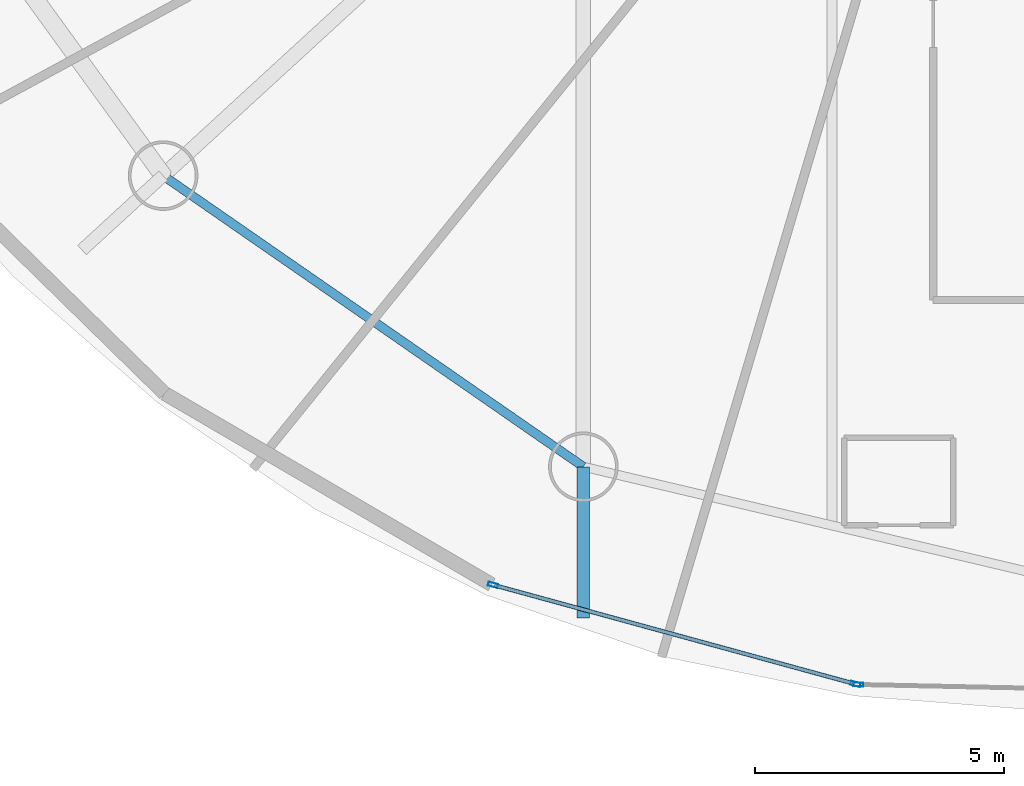
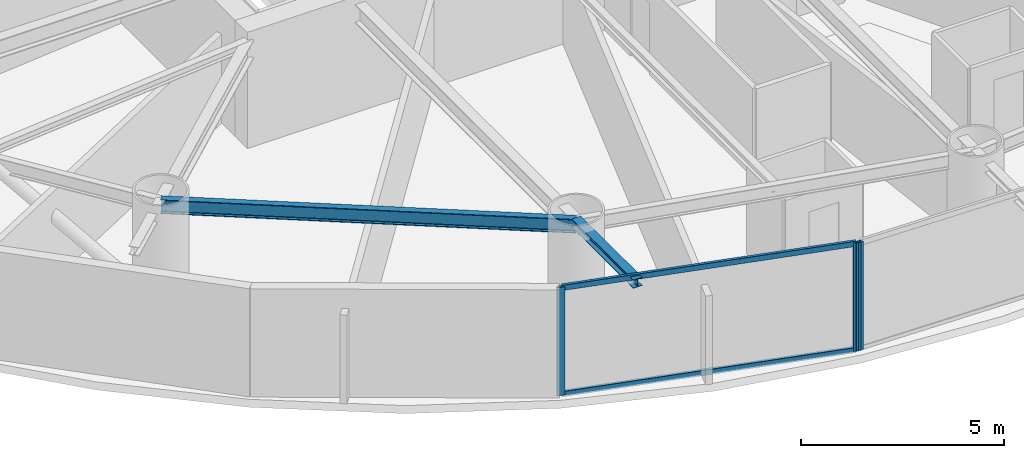
# One storey, part 2 of 26: 5 members, 2 beams, 2 elements without a shape of their own.
"""IFC4 building model written with IfcOpenShell, lengths in metres."""

from ifc_helpers import new_model, si_unit, direction, frame, origin, origin_2d, place, context, subcontext, project, spatial, hollow_rectangle, i_section, extrude, material, layer, layer_set, material_profile, profile_set, type_object, element, aggregate, save


model = new_model("IFC4")

# Units and contexts
model_context = context("Model", 3, precision=1e-05, world=origin(), true_north=direction((0.0, 1.0)))
body_context = subcontext(model_context, "Body", "Model", "MODEL_VIEW")
ifc_project = project(units=[si_unit("LENGTHUNIT", "METRE"), si_unit("AREAUNIT", "SQUARE_METRE"), si_unit("VOLUMEUNIT", "CUBIC_METRE"), si_unit("PLANEANGLEUNIT", "RADIAN"), si_unit("MASSUNIT", "GRAM", prefix="KILO")], contexts=[model_context])

# Site, building, storey
site_placement = place(None, origin())
site = spatial("IfcSite", under=ifc_project, at=site_placement, CompositionType="ELEMENT")
building_placement = place(site_placement, origin())
building = spatial("IfcBuilding", under=site, at=building_placement, Name="Bramvorn Convention Spire", CompositionType="ELEMENT")
storey_placement = place(building_placement, frame((0.0, 0.0, 123.800048828125)))
storey = spatial("IfcBuildingStorey", under=building, at=storey_placement, Name="L30", CompositionType="ELEMENT", Elevation=123.800048828125)

# Beams
ifc_material_1 = material(Name="Steel CSA G40.21 Grade 350 (350W)", Category="steel")
ifc_material_profile_1 = material_profile(ifc_material_1, i_section(OverallWidth=0.25390625, OverallDepth=0.2529296875, WebThickness=0.008544921875, FlangeThickness=0.01416015625, FilletRadius=0.011962890625, at=origin_2d()))
ifc_profile_set_1 = profile_set([ifc_material_profile_1], Name="Steel CSA G40.21 Grade 350 (350W) - W250X73")
beam_type_1 = type_object("IfcBeamType", Name="BM-W250X73", PredefinedType="BEAM", material=ifc_profile_set_1)
beam_1_placement = place(storey_placement, frame((29.917236328125, 7.845947265625, 3.133544921875), z_axis=(0.0, -1.0, 0.0), x_axis=(1.0, 0.0, 0.0)))
element("IfcBeam", 1, at=beam_1_placement, inside=storey, type_object=beam_type_1, Name="L30 slab-edge cantilever tip beam MC13", PredefinedType="BEAM", context=body_context, shape_type="SweptSolid", body=[
    extrude(i_section(OverallWidth=0.25390625, OverallDepth=0.2529296875, WebThickness=0.008544921875, FlangeThickness=0.01416015625, FilletRadius=0.011962890625, at=origin_2d()), origin(), (0.0, 0.0, 1.0), 3.0390625),
])
ifc_material_profile_2 = material_profile(ifc_material_1, i_section(OverallWidth=0.180908203125, OverallDepth=0.4169921875, WebThickness=0.010986328125, FlangeThickness=0.018310546875, FilletRadius=0.01611328125, at=origin_2d()))
ifc_profile_set_2 = profile_set([ifc_material_profile_2], Name="Steel CSA G40.21 Grade 350 (350W) - W410X85")
beam_type_2 = type_object("IfcBeamType", Name="BM-W410X85", PredefinedType="JOIST", material=ifc_profile_set_2)
beam_2_placement = place(storey_placement, frame((21.465087890625, 13.700927734375, 3.051513671875), z_axis=(0.822033166673, -0.569439613032, 0.0), x_axis=(0.569439613032, 0.822033166673, 0.0)))
element("IfcBeam", 2, at=beam_2_placement, inside=storey, type_object=beam_type_2, Name="L30 mega-column ring beam 12", PredefinedType="JOIST", context=body_context, shape_type="SweptSolid", body=[
    extrude(i_section(OverallWidth=0.180908203125, OverallDepth=0.4169921875, WebThickness=0.010986328125, FlangeThickness=0.018310546875, FilletRadius=0.01611328125, at=origin_2d()), origin(), (0.0, 0.0, 1.0), 10.281982421875),
])

# Curtain wall, members
ifc_material_2 = material(Name="Anodised Bronze Unitised Curtain Wall", Category="aluminium")
ifc_layer = layer(ifc_material_2, 0.179931640625)
ifc_layer_set = layer_set([ifc_layer], Name="Anodised Bronze Unitised Curtain Wall - CW-HTL-FRIT")
curtain_wall_type = type_object("IfcCurtainWallType", Name="CW-HTL-FRIT", PredefinedType="USERDEFINED", material=ifc_layer_set)
curtain_wall_1_placement = place(storey_placement, origin())
curtain_wall_1 = element("IfcCurtainWall", 3, at=curtain_wall_1_placement, inside=storey, type_object=curtain_wall_type, Name="L30 fritted glass curtain wall 19", ObjectType="UNITISED CURTAIN WALL", PredefinedType="USERDEFINED")
ifc_material_3 = material(Name="Anodised Bronze Aluminium 6063-T6", Category="aluminium")
ifc_material_profile_3 = material_profile(ifc_material_3, hollow_rectangle(XDim=0.080078125, YDim=0.199951171875, WallThickness=0.00390625, InnerFilletRadius=0.0009765625, OuterFilletRadius=0.00390625, at=origin_2d()))
ifc_profile_set_3 = profile_set([ifc_material_profile_3], Name="Anodised Bronze Aluminium 6063-T6 - CWM80X200")
member_type_1 = type_object("IfcMemberType", Name="CW-MUL-180", PredefinedType="MULLION", material=ifc_profile_set_3)
member_1_placement = place(storey_placement, frame((35.389892578125, 3.47509765625, 0.0), z_axis=(0.0, 0.0, 1.0), x_axis=(-0.263907103105, -0.964548101927, 0.0)))
member_1 = element("IfcMember", 4, at=member_1_placement, type_object=member_type_1, Name="CW2 mullion 1", PredefinedType="MULLION", context=body_context, shape_type="SweptSolid", body=[
    extrude(hollow_rectangle(XDim=0.080078125, YDim=0.199951171875, WallThickness=0.00390625, InnerFilletRadius=0.0009765625, OuterFilletRadius=0.00390625, at=origin_2d()), origin(), (0.0, 0.0, 1.0), 3.260009765625),
])
member_2_placement = place(storey_placement, frame((28.100341796875, 5.469482421875, 0.0), z_axis=(0.0, 0.0, 1.0), x_axis=(-0.263907103105, -0.964548101927, 0.0)))
member_2 = element("IfcMember", 5, at=member_2_placement, type_object=member_type_1, Name="CW2 mullion 2", PredefinedType="MULLION", context=body_context, shape_type="SweptSolid", body=[
    extrude(hollow_rectangle(XDim=0.080078125, YDim=0.199951171875, WallThickness=0.00390625, InnerFilletRadius=0.0009765625, OuterFilletRadius=0.00390625, at=origin_2d()), origin(), (0.0, 0.0, 1.0), 3.260009765625),
])

# Curtain wall, member
curtain_wall_2_placement = place(storey_placement, origin())
curtain_wall_2 = element("IfcCurtainWall", 6, at=curtain_wall_2_placement, inside=storey, type_object=curtain_wall_type, Name="L30 fritted glass curtain wall 20", ObjectType="UNITISED CURTAIN WALL", PredefinedType="USERDEFINED")
member_3_placement = place(storey_placement, frame((35.44873046875, 3.466552734375, 0.0), z_axis=(0.0, 0.0, 1.0), x_axis=(-0.020953166222, -0.999780458313, 0.0)))
member_3 = element("IfcMember", 7, at=member_3_placement, type_object=member_type_1, Name="CW2 mullion 2", PredefinedType="MULLION", context=body_context, shape_type="SweptSolid", body=[
    extrude(hollow_rectangle(XDim=0.080078125, YDim=0.199951171875, WallThickness=0.00390625, InnerFilletRadius=0.0009765625, OuterFilletRadius=0.00390625, at=origin_2d()), origin(), (0.0, 0.0, 1.0), 3.260009765625),
])
aggregate(curtain_wall_2, [member_3])

# Member
ifc_material_profile_4 = material_profile(ifc_material_3, hollow_rectangle(XDim=0.080078125, YDim=0.159912109375, WallThickness=0.00390625, InnerFilletRadius=0.0009765625, OuterFilletRadius=0.00390625, at=origin_2d()))
ifc_profile_set_4 = profile_set([ifc_material_profile_4], Name="Anodised Bronze Aluminium 6063-T6 - CWT80X160")
member_type_2 = type_object("IfcMemberType", Name="CW-TRN-150", PredefinedType="USERDEFINED", material=ifc_profile_set_4)
member_4_placement = place(storey_placement, frame((35.36083984375, 3.483154296875, 0.030029296875), z_axis=(-0.964550083449, 0.263899860779, 0.0), x_axis=(-0.263899860779, -0.964550083449, 0.0)))
member_4 = element("IfcMember", 8, at=member_4_placement, type_object=member_type_2, Name="CW2 transom 1.1", ObjectType="TRANSOM", PredefinedType="USERDEFINED", context=body_context, shape_type="SweptSolid", body=[
    extrude(hollow_rectangle(XDim=0.080078125, YDim=0.159912109375, WallThickness=0.00390625, InnerFilletRadius=0.0009765625, OuterFilletRadius=0.00390625, at=origin_2d()), origin(), (0.0, 0.0, 1.0), 7.497314453125),
])

member_5_placement = place(storey_placement, frame((35.36083984375, 3.483154296875, 3.22998046875), z_axis=(-0.964550083449, 0.263899860779, 0.0), x_axis=(-0.263899860779, -0.964550083449, 0.0)))
member_5 = element("IfcMember", 9, at=member_5_placement, type_object=member_type_2, Name="CW2 transom 1.2", ObjectType="TRANSOM", PredefinedType="USERDEFINED", context=body_context, shape_type="SweptSolid", body=[
    extrude(hollow_rectangle(XDim=0.080078125, YDim=0.159912109375, WallThickness=0.00390625, InnerFilletRadius=0.0009765625, OuterFilletRadius=0.00390625, at=origin_2d()), origin(), (0.0, 0.0, 1.0), 7.497314453125),
])

aggregate(curtain_wall_1, [member_1, member_2, member_4, member_5])

save(model, "model.ifc")
